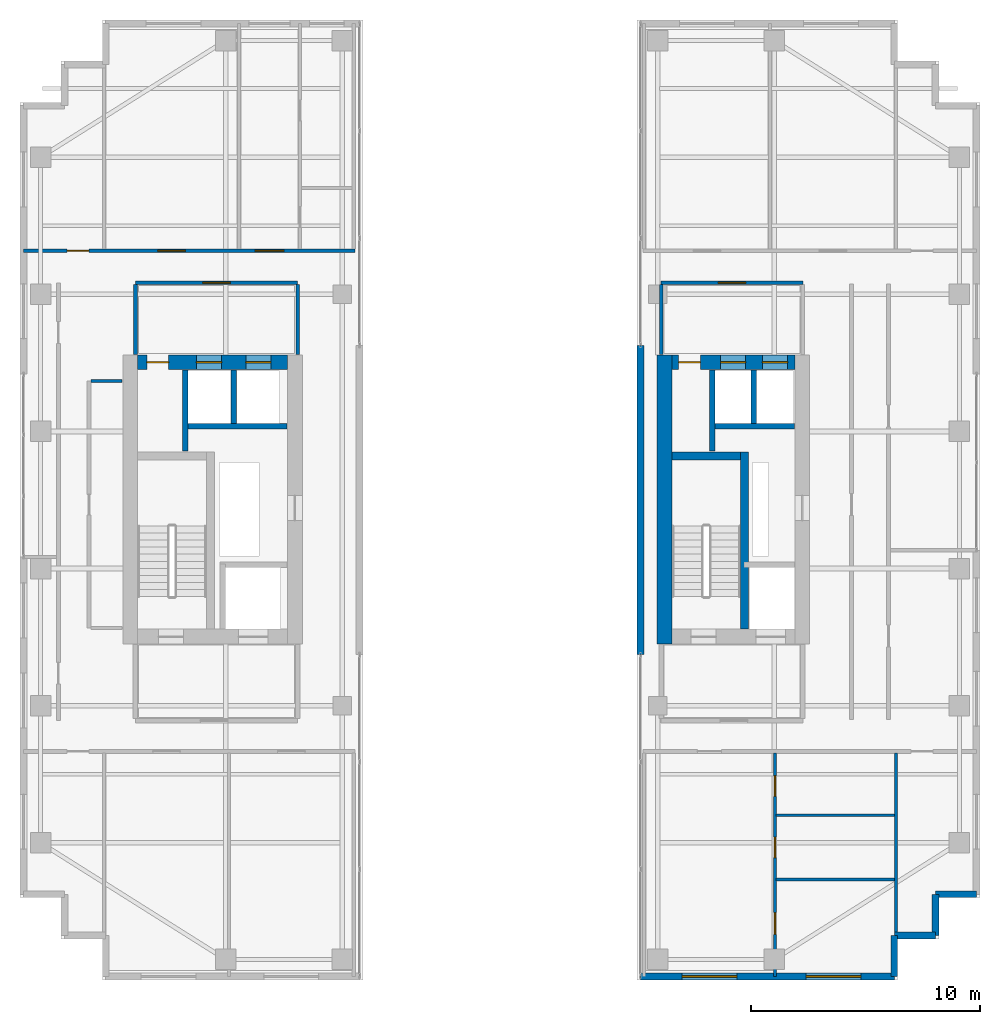
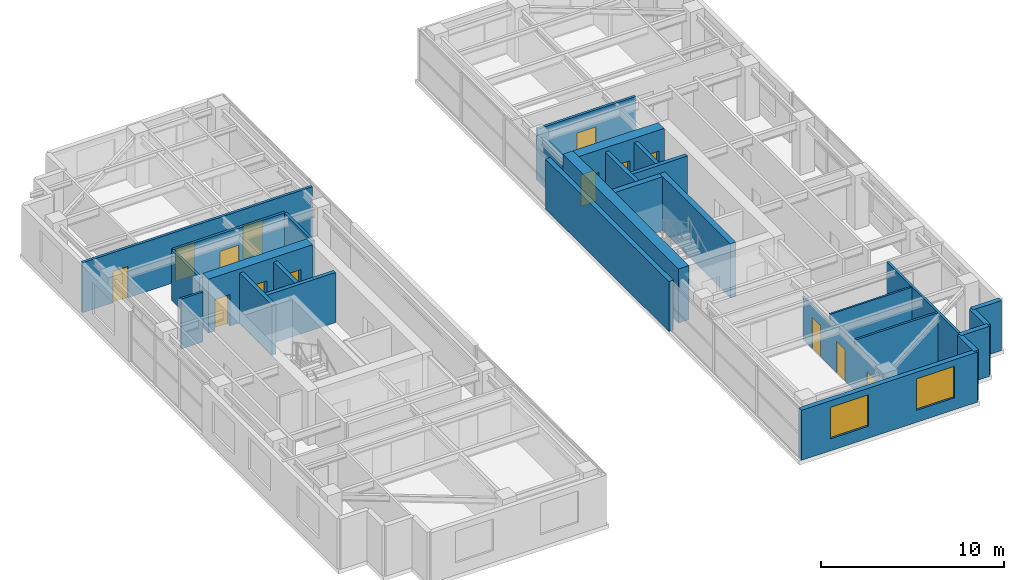
# One storey, part 18 of 22: 28 walls, 14 doors, 2 windows, 16 openings.
"""IFC4 building model written with IfcOpenShell, lengths in metres."""

import ifcopenshell
import ifcopenshell.guid

model = None  # the IFC model being written
_history = None  # IfcOwnerHistory: only IFC2X3 demands one
_inside = {}  # id of a spatial element -> (the spatial element, [elements in it])
_under = {}  # id of a project, library or spatial element -> (it, [spatial elements below it])
_declared = {}  # id of a project -> (the project, [libraries it declares])
_typed = {}  # id of a type object -> (the type object, [elements of that type])
_made_of = {}  # id of a material, layer set ... -> (it, [elements and type objects made of it])


def new_model(schema):
    """Start an empty IFC model of exactly this schema.

    Asked for "IFC4X3", IfcOpenShell would pick the latest addendum, in which some entities
    have other attributes; the version numbers below select the first issue.
    IFC2X3 requires an IfcOwnerHistory on every rooted entity: one is made here for all.
    """
    global model, _history
    if schema == "IFC4X3":
        model = ifcopenshell.file(schema_version=(4, 3, 0, 0))
    else:
        model = ifcopenshell.file(schema=schema)
    _inside.clear()
    _under.clear()
    _declared.clear()
    _typed.clear()
    _made_of.clear()
    _history = None
    if model.schema == "IFC2X3":
        org = make("IfcOrganization", Name="unknown")
        user = make(
            "IfcPersonAndOrganization",
            ThePerson=make("IfcPerson", FamilyName="unknown"),
            TheOrganization=org,
        )
        app = make(
            "IfcApplication",
            ApplicationDeveloper=org,
            Version="unknown",
            ApplicationFullName="unknown",
            ApplicationIdentifier="unknown",
        )
        _history = make(
            "IfcOwnerHistory",
            OwningUser=user,
            OwningApplication=app,
            ChangeAction="ADDED",
            CreationDate=0,
        )
    return model


def make(cls, **values):
    """One entity of the class cls with the attributes given. An attribute that is None is left unset."""
    return model.create_entity(
        cls, **{name: value for name, value in values.items() if value is not None}
    )


def rooted(cls, **values):
    """An entity with a GlobalId (a new one), such as an element, a storey or a relation."""
    return make(cls, GlobalId=ifcopenshell.guid.new(), OwnerHistory=_history, **values)


def si_unit(unit_type, name, prefix=None):
    """IfcSIUnit, for example si_unit("LENGTHUNIT", "METRE", prefix="MILLI")."""
    return make("IfcSIUnit", UnitType=unit_type, Prefix=prefix, Name=name)


def assignment(units):
    """IfcUnitAssignment: the units of a project."""
    return None if units is None else make("IfcUnitAssignment", Units=units)


def point(xyz):
    """IfcCartesianPoint."""
    return None if xyz is None else make("IfcCartesianPoint", Coordinates=xyz)


def direction(xyz):
    """IfcDirection."""
    return None if xyz is None else make("IfcDirection", DirectionRatios=xyz)


def frame(location, z_axis=None, x_axis=None):
    """IfcAxis2Placement3D, a coordinate frame: its origin and axes. An axis left out is left unset."""
    return make(
        "IfcAxis2Placement3D",
        Location=point(location),
        Axis=direction(z_axis),
        RefDirection=direction(x_axis),
    )


def frame_2d(location, x_axis=None):
    """IfcAxis2Placement2D, a coordinate frame in the plane: its origin and x axis."""
    return make(
        "IfcAxis2Placement2D", Location=point(location), RefDirection=direction(x_axis)
    )


def origin():
    """The frame at (0, 0, 0) with its axes left unset."""
    return frame((0.0, 0.0, 0.0))


def place(relative_to, where):
    """IfcLocalPlacement: puts the frame where relative to a parent placement (None: the world)."""
    return make(
        "IfcLocalPlacement", PlacementRelTo=relative_to, RelativePlacement=where
    )


def context(
    kind, dimensions, precision=None, world=None, true_north=None, identifier=None
):
    """IfcGeometricRepresentationContext, for example the 3D "Model" context."""
    return make(
        "IfcGeometricRepresentationContext",
        ContextIdentifier=identifier,
        ContextType=kind,
        CoordinateSpaceDimension=dimensions,
        Precision=precision,
        WorldCoordinateSystem=world,
        TrueNorth=true_north,
    )


def subcontext(parent, identifier, kind, view, scale=None):
    """IfcGeometricRepresentationSubContext, for example "Body" below "Model"."""
    return make(
        "IfcGeometricRepresentationSubContext",
        ContextIdentifier=identifier,
        ContextType=kind,
        ParentContext=parent,
        TargetScale=scale,
        TargetView=view,
    )


def project(units=None, contexts=None):
    """IfcProject with its units and contexts."""
    return rooted(
        "IfcProject",
        Name="project",
        RepresentationContexts=contexts,
        UnitsInContext=assignment(units),
    )


def spatial(cls, under=None, at=None, **own):
    """A site, building, storey or space (cls), placed at a placement, below another one or the project."""
    s = rooted(cls, ObjectPlacement=at, **own)
    if under is not None:
        _under.setdefault(under.id(), (under, []))[1].append(s)
    return s


def profile(cls, at=None, kind="AREA", **sizes):
    """A parametric profile (cls). Its sizes go by their IFC names, for example OverallWidth=200.0."""
    return make(cls, ProfileType=kind, Position=at, **sizes)


def rectangle(**sizes):
    """IfcRectangleProfileDef."""
    return profile("IfcRectangleProfileDef", **sizes)


def extrude(swept, where, along, depth):
    """IfcExtrudedAreaSolid: the profile swept, set in the frame where, extruded along a direction by depth."""
    return make(
        "IfcExtrudedAreaSolid",
        SweptArea=swept,
        Position=where,
        ExtrudedDirection=direction(along),
        Depth=depth,
    )


def shape(context_of_items, identifier, shape_type, items):
    """IfcShapeRepresentation: the items that make up one representation, for example the "Body"."""
    return make(
        "IfcShapeRepresentation",
        ContextOfItems=context_of_items,
        RepresentationIdentifier=identifier,
        RepresentationType=shape_type,
        Items=items,
    )


def source(mapping_origin, context_of_items, identifier, shape_type, items):
    """IfcRepresentationMap: a shape defined once, which mapped items show again and again."""
    return make(
        "IfcRepresentationMap",
        MappingOrigin=mapping_origin,
        MappedRepresentation=shape(context_of_items, identifier, shape_type, items),
    )


def transform(
    local_origin,
    x_axis=None,
    y_axis=None,
    z_axis=None,
    scale=None,
    scale2=None,
    scale3=None,
    uniform=True,
):
    """IfcCartesianTransformationOperator3D, or its non-uniform kind. x_axis, y_axis, z_axis: its Axis1, 2, 3."""
    if uniform:
        return make(
            "IfcCartesianTransformationOperator3D",
            Axis1=direction(x_axis),
            Axis2=direction(y_axis),
            LocalOrigin=point(local_origin),
            Scale=scale,
            Axis3=direction(z_axis),
        )
    return make(
        "IfcCartesianTransformationOperator3DnonUniform",
        Axis1=direction(x_axis),
        Axis2=direction(y_axis),
        LocalOrigin=point(local_origin),
        Scale=scale,
        Axis3=direction(z_axis),
        Scale2=scale2,
        Scale3=scale3,
    )


def mapped(mapping_source, mapping_target):
    """IfcMappedItem: shows the shape of a source again, moved by a transform."""
    return make(
        "IfcMappedItem", MappingSource=mapping_source, MappingTarget=mapping_target
    )


def material(Name=None, Category=None):
    """IfcMaterial."""
    return make("IfcMaterial", Name=Name, Category=Category)


def layer(
    of_material, thickness, ventilated=None, Name=None, Category=None, Priority=None
):
    """IfcMaterialLayer: one layer of a wall or slab, of a material (None: an air gap)."""
    return make(
        "IfcMaterialLayer",
        Material=of_material,
        LayerThickness=thickness,
        IsVentilated=ventilated,
        Name=Name,
        Category=Category,
        Priority=Priority,
    )


def layer_set(layers, Name=None):
    """IfcMaterialLayerSet."""
    return make("IfcMaterialLayerSet", MaterialLayers=layers, LayerSetName=Name)


def made_of(thing, what):
    """Note that an element or type object is made of a material, layer set ...; save() writes the relation."""
    if what is not None:
        _made_of.setdefault(what.id(), (what, []))[1].append(thing)
    return thing


def type_object(cls, material=None, **own):
    """A type object (cls), such as IfcWallType, which elements share."""
    return made_of(rooted(cls, **own), material)


def element(
    cls,
    number,
    at=None,
    inside=None,
    cuts=None,
    type_object=None,
    material=None,
    context=None,
    identifier="Body",
    shape_type=None,
    held_by="IfcProductDefinitionShape",
    body=None,
    shapes=None,
    **own,
):
    """One element of the class cls, such as IfcWall. Its Tag is "e" and its number.

    at: its placement. inside: the storey or other place that contains it. cuts: it is an
    opening in that element (IfcRelVoidsElement). A single representation is given by context,
    identifier, shape_type and body (its items); several are given by shapes. held_by: the class
    of the entity that holds the representations. save() writes the other relations.
    """
    e = rooted(cls, Tag="e%d" % number, ObjectPlacement=at, **own)
    if body is not None:
        shapes = [shape(context, identifier, shape_type, body)]
    if shapes is not None:
        e.Representation = make(held_by, Representations=shapes)
    if inside is not None:
        _inside.setdefault(inside.id(), (inside, []))[1].append(e)
    if cuts is not None:
        rooted(
            "IfcRelVoidsElement", RelatingBuildingElement=cuts, RelatedOpeningElement=e
        )
    if type_object is not None:
        _typed.setdefault(type_object.id(), (type_object, []))[1].append(e)
    return made_of(e, material)


def fill(opening, filler):
    """IfcRelFillsElement: the door or window that sits in an opening."""
    return rooted(
        "IfcRelFillsElement",
        RelatingOpeningElement=opening,
        RelatedBuildingElement=filler,
    )


def aggregate(whole, parts):
    """IfcRelAggregates: a whole, such as a stair, and the parts it consists of."""
    return rooted("IfcRelAggregates", RelatingObject=whole, RelatedObjects=parts)


def save(model, path):
    """Write the relations noted so far, then the file.

    IfcRelAggregates (storeys below a building ...), IfcRelContainedInSpatialStructure (elements
    in a storey), IfcRelDefinesByType, IfcRelAssociatesMaterial and IfcRelDeclares: one each for
    every whole, place, type object, material and project.
    """
    for whole, parts in _under.values():
        aggregate(whole, parts)
    for where, things in _inside.values():
        rooted(
            "IfcRelContainedInSpatialStructure",
            RelatedElements=things,
            RelatingStructure=where,
        )
    for kind, things in _typed.values():
        rooted("IfcRelDefinesByType", RelatedObjects=things, RelatingType=kind)
    for what, things in _made_of.values():
        rooted("IfcRelAssociatesMaterial", RelatedObjects=things, RelatingMaterial=what)
    for by, libraries in _declared.values():
        rooted("IfcRelDeclares", RelatingContext=by, RelatedDefinitions=libraries)
    model.write(path)


model = new_model("IFC4")

# Units and contexts
model_context = context("Model", 3, precision=1e-05, world=origin(), true_north=direction((0.0, 1.0)))
body_context = subcontext(model_context, "Body", "Model", "MODEL_VIEW")
ifc_project = project(units=[si_unit("LENGTHUNIT", "METRE"), si_unit("AREAUNIT", "SQUARE_METRE"), si_unit("VOLUMEUNIT", "CUBIC_METRE"), si_unit("PLANEANGLEUNIT", "RADIAN"), si_unit("MASSUNIT", "GRAM", prefix="KILO")], contexts=[model_context])

# Site, building, storey
site_placement = place(None, origin())
site = spatial("IfcSite", under=ifc_project, at=site_placement, CompositionType="ELEMENT")
building_placement = place(site_placement, origin())
building = spatial("IfcBuilding", under=site, at=building_placement, Name="Khoralis Quay Care Tower", CompositionType="ELEMENT")
storey_placement = place(building_placement, frame((0.0, 0.0, 184.5)))
storey = spatial("IfcBuildingStorey", under=building, at=storey_placement, Name="L48", CompositionType="ELEMENT", Elevation=184.5)

# Wall, openings, doors
ifc_material_1 = material(Name="Concrete C65/80", Category="concrete")
ifc_layer_1 = layer(ifc_material_1, 0.64990234375)
ifc_layer_set_1 = layer_set([ifc_layer_1], Name="Concrete C65/80")
wall_type_1 = type_object("IfcWallType", Name="WL-CORE-650", PredefinedType="SHEAR", material=ifc_layer_set_1)
wall_1_placement = place(storey_placement, frame((8.14990234375, 27.02490234375, 0.0), z_axis=(0.0, 0.0, 1.0), x_axis=(1.0, 0.0, 0.0)))
wall_1 = element("IfcWall", 1, at=wall_1_placement, inside=storey, type_object=wall_type_1, Name="L48 WCORE North Shear Wall", PredefinedType="SHEAR", context=body_context, shape_type="SweptSolid", body=[
    extrude(rectangle(XDim=6.550048828125, YDim=0.64990234375, at=frame_2d((3.27490234375, 0.0))), origin(), (0.0, 0.0, 1.0), 3.60009765625),
])
opening_1_placement = place(wall_1_placement, frame((0.39990234375, 0.0, 0.0)))
opening_1 = element("IfcOpeningElement", 2, at=opening_1_placement, cuts=wall_1, Name="Opening ID1", PredefinedType="OPENING", context=body_context, shape_type="SweptSolid", body=[
    extrude(rectangle(XDim=0.949951171875, YDim=2.10009765625, at=frame_2d((0.47509765625, 1.050048828125))), frame((0.0, 0.3349609375, 0.0), z_axis=(0.0, -1.0, 0.0), x_axis=(1.0, 0.0, 0.0)), (0.0, 0.0, 1.0), 0.669921875),
])
opening_2_placement = place(wall_1_placement, frame((2.570068359375, 0.0, 0.0)))
opening_2 = element("IfcOpeningElement", 3, at=opening_2_placement, cuts=wall_1, Name="Opening LD1", PredefinedType="OPENING", context=body_context, shape_type="SweptSolid", body=[
    extrude(rectangle(XDim=1.10009765625, YDim=2.199951171875, at=frame_2d((0.550048828125, 1.10009765625))), frame((0.0, 0.3349609375, 0.0), z_axis=(0.0, -1.0, 0.0), x_axis=(1.0, 0.0, 0.0)), (0.0, 0.0, 1.0), 0.669921875),
])
opening_3_placement = place(wall_1_placement, frame((4.72998046875, 0.0, 0.0)))
opening_3 = element("IfcOpeningElement", 4, at=opening_3_placement, cuts=wall_1, Name="Opening LD1", PredefinedType="OPENING", context=body_context, shape_type="SweptSolid", body=[
    extrude(rectangle(XDim=1.10009765625, YDim=2.199951171875, at=frame_2d((0.550048828125, 1.10009765625))), frame((0.0, 0.3349609375, 0.0), z_axis=(0.0, -1.0, 0.0), x_axis=(1.0, 0.0, 0.0)), (0.0, 0.0, 1.0), 0.669921875),
])
ifc_material_2 = material(Name="Brushed stainless steel", Category="steel")
door_type_1 = type_object("IfcDoorType", Name="DR-LIFT-1100X2200", OperationType="SLIDING_TO_LEFT", PredefinedType="DOOR", material=ifc_material_2)
shared_shape_1 = source(origin(), body_context, "Body", "SweptSolid", [
    extrude(rectangle(XDim=1.10009765625, YDim=2.199951171875, at=frame_2d((0.550048828125, 1.10009765625))), frame((0.0, 0.02490234375, 0.0), z_axis=(0.0, -1.0, 0.0), x_axis=(1.0, 0.0, 0.0)), (0.0, 0.0, 1.0), 0.050048828125),
])
door_1_placement = place(opening_2_placement, origin())
door_1 = element("IfcDoor", 5, at=door_1_placement, inside=storey, type_object=door_type_1, Name="L48 Lift PLM1 Landing Door", OperationType="SLIDING_TO_LEFT", OverallHeight=2.199951171875, OverallWidth=1.10009765625, PredefinedType="DOOR", context=body_context, shape_type="MappedRepresentation", body=[
    mapped(shared_shape_1, transform((0.0, 0.0, 0.0), scale=1.0)),
])
fill(opening_2, door_1)
door_2_placement = place(opening_3_placement, origin())
door_2 = element("IfcDoor", 6, at=door_2_placement, inside=storey, type_object=door_type_1, Name="L48 Lift PLH1 Landing Door", OperationType="SLIDING_TO_LEFT", OverallHeight=2.199951171875, OverallWidth=1.10009765625, PredefinedType="DOOR", context=body_context, shape_type="MappedRepresentation", body=[
    mapped(shared_shape_1, transform((0.0, 0.0, 0.0), scale=1.0)),
])
fill(opening_3, door_2)
ifc_material_3 = material(Name="Acoustic hardwood timber", Category="wood")
door_type_2 = type_object("IfcDoorType", Name="DR-ROOM-950X2100", OperationType="NOTDEFINED", PredefinedType="DOOR", material=ifc_material_3)
shared_shape_2 = source(origin(), body_context, "Body", "SweptSolid", [
    extrude(rectangle(XDim=0.949951171875, YDim=2.10009765625, at=frame_2d((0.47509765625, 1.050048828125))), frame((0.0, 0.02490234375, 0.0), z_axis=(0.0, -1.0, 0.0), x_axis=(1.0, 0.0, 0.0)), (0.0, 0.0, 1.0), 0.050048828125),
])
door_3_placement = place(opening_1_placement, frame((0.949951171875, 0.0, 0.0), z_axis=(0.0, 0.0, 1.0), x_axis=(-1.0, 0.0, 0.0)))
door_3 = element("IfcDoor", 7, at=door_3_placement, inside=storey, type_object=door_type_2, Name="L48 Medication Room Door", OperationType="SINGLE_SWING_RIGHT", OverallHeight=2.10009765625, OverallWidth=0.949951171875, PredefinedType="DOOR", context=body_context, shape_type="MappedRepresentation", body=[
    mapped(shared_shape_2, transform((0.0, 0.0, 0.0), scale=1.0)),
])
fill(opening_1, door_3)

# Wall
wall_2_placement = place(storey_placement, frame((31.195068359375, 14.699951171875, 0.0), z_axis=(0.0, 0.0, 1.0), x_axis=(0.0, 1.0, 0.0)))
element("IfcWall", 8, at=wall_2_placement, inside=storey, type_object=wall_type_1, Name="L48 ECORE West Shear Wall", PredefinedType="SHEAR", context=body_context, shape_type="SweptSolid", body=[
    extrude(rectangle(XDim=12.650146484375, YDim=0.64990234375, at=frame_2d((6.3251953125, 0.0))), origin(), (0.0, 0.0, 1.0), 3.60009765625),
])

# Wall, openings, doors
wall_3_placement = place(storey_placement, frame((31.52001953125, 27.02490234375, 0.0), z_axis=(0.0, 0.0, 1.0), x_axis=(1.0, 0.0, 0.0)))
wall_3 = element("IfcWall", 9, at=wall_3_placement, inside=storey, type_object=wall_type_1, Name="L48 ECORE North Shear Wall", PredefinedType="SHEAR", context=body_context, shape_type="SweptSolid", body=[
    extrude(rectangle(XDim=5.3798828125, YDim=0.64990234375, at=frame_2d((2.68994140625, 0.0))), origin(), (0.0, 0.0, 1.0), 3.60009765625),
])
opening_4_placement = place(wall_3_placement, frame((0.300048828125, 0.0, 0.0)))
opening_4 = element("IfcOpeningElement", 10, at=opening_4_placement, cuts=wall_3, Name="Opening ID1", PredefinedType="OPENING", context=body_context, shape_type="SweptSolid", body=[
    extrude(rectangle(XDim=0.949951171875, YDim=2.10009765625, at=frame_2d((0.47509765625, 1.050048828125))), frame((0.0, 0.3349609375, 0.0), z_axis=(0.0, -1.0, 0.0), x_axis=(1.0, 0.0, 0.0)), (0.0, 0.0, 1.0), 0.669921875),
])
opening_5_placement = place(wall_3_placement, frame((2.1298828125, 0.0, 0.0)))
opening_5 = element("IfcOpeningElement", 11, at=opening_5_placement, cuts=wall_3, Name="Opening LD1", PredefinedType="OPENING", context=body_context, shape_type="SweptSolid", body=[
    extrude(rectangle(XDim=1.10009765625, YDim=2.199951171875, at=frame_2d((0.550048828125, 1.10009765625))), frame((0.0, 0.3349609375, 0.0), z_axis=(0.0, -1.0, 0.0), x_axis=(1.0, 0.0, 0.0)), (0.0, 0.0, 1.0), 0.669921875),
])
opening_6_placement = place(wall_3_placement, frame((3.9599609375, 0.0, 0.0)))
opening_6 = element("IfcOpeningElement", 12, at=opening_6_placement, cuts=wall_3, Name="Opening LD1", PredefinedType="OPENING", context=body_context, shape_type="SweptSolid", body=[
    extrude(rectangle(XDim=1.10009765625, YDim=2.199951171875, at=frame_2d((0.550048828125, 1.10009765625))), frame((0.0, 0.3349609375, 0.0), z_axis=(0.0, -1.0, 0.0), x_axis=(1.0, 0.0, 0.0)), (0.0, 0.0, 1.0), 0.669921875),
])
door_4_placement = place(opening_5_placement, origin())
door_4 = element("IfcDoor", 13, at=door_4_placement, inside=storey, type_object=door_type_1, Name="L48 Lift PLM2 Landing Door", OperationType="SLIDING_TO_LEFT", OverallHeight=2.199951171875, OverallWidth=1.10009765625, PredefinedType="DOOR", context=body_context, shape_type="MappedRepresentation", body=[
    mapped(shared_shape_1, transform((0.0, 0.0, 0.0), scale=1.0)),
])
fill(opening_5, door_4)
door_5_placement = place(opening_6_placement, origin())
door_5 = element("IfcDoor", 14, at=door_5_placement, inside=storey, type_object=door_type_1, Name="L48 Lift PLH2 Landing Door", OperationType="SLIDING_TO_LEFT", OverallHeight=2.199951171875, OverallWidth=1.10009765625, PredefinedType="DOOR", context=body_context, shape_type="MappedRepresentation", body=[
    mapped(shared_shape_1, transform((0.0, 0.0, 0.0), scale=1.0)),
])
fill(opening_6, door_5)
door_6_placement = place(opening_4_placement, frame((0.949951171875, 0.0, 0.0), z_axis=(0.0, 0.0, 1.0), x_axis=(-1.0, 0.0, 0.0)))
door_6 = element("IfcDoor", 15, at=door_6_placement, inside=storey, type_object=door_type_2, Name="L48 Nutrition Pantry Door", OperationType="SINGLE_SWING_LEFT", OverallHeight=2.10009765625, OverallWidth=0.949951171875, PredefinedType="DOOR", context=body_context, shape_type="MappedRepresentation", body=[
    mapped(shared_shape_2, transform((0.0, 0.0, 0.0), scale=1.0)),
])
fill(opening_4, door_6)

# Wall, opening, door
ifc_material_4 = material(Name="Gypsum plasterboard on acoustic metal stud")
ifc_layer_2 = layer(ifc_material_4, 0.1650390625)
ifc_layer_set_2 = layer_set([ifc_layer_2], Name="Gypsum plasterboard on acoustic metal stud")
wall_type_2 = type_object("IfcWallType", Name="WL-CORR-165", PredefinedType="PARTITIONING", material=ifc_layer_set_2)
wall_4_placement = place(storey_placement, frame((8.050048828125, 30.5, 0.0), z_axis=(0.0, 0.0, 1.0), x_axis=(1.0, 0.0, 0.0)))
wall_4 = element("IfcWall", 16, at=wall_4_placement, inside=storey, type_object=wall_type_2, Name="L48 West Lift Lobby North Wall", PredefinedType="PARTITIONING", context=body_context, shape_type="SweptSolid", body=[
    extrude(rectangle(XDim=7.099853515625, YDim=0.1650390625, at=frame_2d((3.5498046875, 0.0))), origin(), (0.0, 0.0, 1.0), 3.340087890625),
])
opening_7_placement = place(wall_4_placement, frame((2.949951171875, 0.0, 0.0)))
opening_7 = element("IfcOpeningElement", 17, at=opening_7_placement, cuts=wall_4, Name="Opening FD1", PredefinedType="OPENING", context=body_context, shape_type="SweptSolid", body=[
    extrude(rectangle(XDim=1.199951171875, YDim=2.199951171875, at=frame_2d((0.60009765625, 1.10009765625))), frame((0.0, 0.092529296875, 0.0), z_axis=(0.0, -1.0, 0.0), x_axis=(1.0, 0.0, 0.0)), (0.0, 0.0, 1.0), 0.18505859375),
])
ifc_material_5 = material(Name="Fire-rated painted steel", Category="steel")
door_type_3 = type_object("IfcDoorType", Name="DR-FFL-1200X2200", OperationType="NOTDEFINED", PredefinedType="DOOR", material=ifc_material_5)
shared_shape_3 = source(origin(), body_context, "Body", "SweptSolid", [
    extrude(rectangle(XDim=1.199951171875, YDim=2.199951171875, at=frame_2d((0.60009765625, 1.10009765625))), frame((0.0, 0.02490234375, 0.0), z_axis=(0.0, -1.0, 0.0), x_axis=(1.0, 0.0, 0.0)), (0.0, 0.0, 1.0), 0.050048828125),
])
door_7_placement = place(opening_7_placement, origin())
door_7 = element("IfcDoor", 18, at=door_7_placement, inside=storey, type_object=door_type_3, Name="L48 West Lift Lobby Double Door", OperationType="DOUBLE_DOOR_SINGLE_SWING", OverallHeight=2.199951171875, OverallWidth=1.199951171875, PredefinedType="DOOR", context=body_context, shape_type="MappedRepresentation", body=[
    mapped(shared_shape_3, transform((0.0, 0.0, 0.0), scale=1.0)),
])
fill(opening_7, door_7)

# Walls
for number, where, z_axis, x_axis, name in (
    (19, (8.050048828125, 27.3701171875, 0.0), (0.0, 0.0, 1.0), (0.0, 1.0, 0.0), "L48 West Lift Lobby West Wall"),
    (20, (15.14990234375, 27.3701171875, 0.0), (0.0, 0.0, 1.0), (0.0, 1.0, 0.0), "L48 West Lift Lobby East Wall"),
):
    element("IfcWall", number, at=place(storey_placement, frame(where, z_axis=z_axis, x_axis=x_axis)), inside=storey, type_object=wall_type_2, Name=name, PredefinedType="PARTITIONING", context=body_context, shape_type="SweptSolid", body=[
        extrude(rectangle(XDim=3.052490234375, YDim=0.1650390625, at=frame_2d((1.5263671875, 0.0))), origin(), (0.0, 0.0, 1.0), 3.340087890625),
    ])

# Wall, opening, door
wall_5_placement = place(storey_placement, frame((31.050048828125, 30.5, 0.0), z_axis=(0.0, 0.0, 1.0), x_axis=(1.0, 0.0, 0.0)))
wall_5 = element("IfcWall", 21, at=wall_5_placement, inside=storey, type_object=wall_type_2, Name="L48 East Lift Lobby North Wall", PredefinedType="PARTITIONING", context=body_context, shape_type="SweptSolid", body=[
    extrude(rectangle(XDim=6.199951171875, YDim=0.1650390625, at=frame_2d((3.10009765625, 0.0))), origin(), (0.0, 0.0, 1.0), 3.340087890625),
])
opening_8_placement = place(wall_5_placement, frame((2.5, 0.0, 0.0)))
opening_8 = element("IfcOpeningElement", 22, at=opening_8_placement, cuts=wall_5, Name="Opening FD1", PredefinedType="OPENING", context=body_context, shape_type="SweptSolid", body=[
    extrude(rectangle(XDim=1.199951171875, YDim=2.199951171875, at=frame_2d((0.60009765625, 1.10009765625))), frame((0.0, 0.092529296875, 0.0), z_axis=(0.0, -1.0, 0.0), x_axis=(1.0, 0.0, 0.0)), (0.0, 0.0, 1.0), 0.18505859375),
])
door_8_placement = place(opening_8_placement, origin())
door_8 = element("IfcDoor", 23, at=door_8_placement, inside=storey, type_object=door_type_3, Name="L48 East Lift Lobby Double Door", OperationType="DOUBLE_DOOR_SINGLE_SWING", OverallHeight=2.199951171875, OverallWidth=1.199951171875, PredefinedType="DOOR", context=body_context, shape_type="MappedRepresentation", body=[
    mapped(shared_shape_3, transform((0.0, 0.0, 0.0), scale=1.0)),
])
fill(opening_8, door_8)

# Wall
wall_6_placement = place(storey_placement, frame((31.050048828125, 27.3701171875, 0.0), z_axis=(0.0, 0.0, 1.0), x_axis=(0.0, 1.0, 0.0)))
element("IfcWall", 24, at=wall_6_placement, inside=storey, type_object=wall_type_2, Name="L48 East Lift Lobby West Wall", PredefinedType="PARTITIONING", context=body_context, shape_type="SweptSolid", body=[
    extrude(rectangle(XDim=3.052490234375, YDim=0.1650390625, at=frame_2d((1.5263671875, 0.0))), origin(), (0.0, 0.0, 1.0), 2.876953125),
])

# Wall, openings, doors
wall_7_placement = place(storey_placement, frame((3.14501953125, 31.89990234375, 0.0), z_axis=(0.0, 0.0, 1.0), x_axis=(1.0, 0.0, 0.0)))
wall_7 = element("IfcWall", 25, at=wall_7_placement, inside=storey, type_object=wall_type_2, Name="L48 West Wing North Corridor Wall", PredefinedType="PARTITIONING", context=body_context, shape_type="SweptSolid", body=[
    extrude(rectangle(XDim=14.5048828125, YDim=0.1650390625, at=frame_2d((7.25244140625, 0.0))), origin(), (0.0, 0.0, 1.0), 3.340087890625),
])
opening_9_placement = place(wall_7_placement, frame((5.885009765625, 0.0, 0.0)))
opening_9 = element("IfcOpeningElement", 26, at=opening_9_placement, cuts=wall_7, Name="Opening FD1", PredefinedType="OPENING", context=body_context, shape_type="SweptSolid", body=[
    extrude(rectangle(XDim=1.199951171875, YDim=2.199951171875, at=frame_2d((0.60009765625, 1.10009765625))), frame((0.0, 0.092529296875, 0.0), z_axis=(0.0, -1.0, 0.0), x_axis=(1.0, 0.0, 0.0)), (0.0, 0.0, 1.0), 0.18505859375),
])
opening_10_placement = place(wall_7_placement, frame((10.14501953125, 0.0, 0.0)))
opening_10 = element("IfcOpeningElement", 27, at=opening_10_placement, cuts=wall_7, Name="Opening CD1", PredefinedType="OPENING", context=body_context, shape_type="SweptSolid", body=[
    extrude(rectangle(XDim=1.25, YDim=2.199951171875, at=frame_2d((0.625, 1.10009765625))), frame((0.0, 0.092529296875, 0.0), z_axis=(0.0, -1.0, 0.0), x_axis=(1.0, 0.0, 0.0)), (0.0, 0.0, 1.0), 0.18505859375),
])
opening_11_placement = place(wall_7_placement, frame((1.919921875, 0.0, 0.0)))
opening_11 = element("IfcOpeningElement", 28, at=opening_11_placement, cuts=wall_7, Name="Opening ID1", PredefinedType="OPENING", context=body_context, shape_type="SweptSolid", body=[
    extrude(rectangle(XDim=0.949951171875, YDim=2.10009765625, at=frame_2d((0.47509765625, 1.050048828125))), frame((0.0, 0.092529296875, 0.0), z_axis=(0.0, -1.0, 0.0), x_axis=(1.0, 0.0, 0.0)), (0.0, 0.0, 1.0), 0.18505859375),
])
door_9_placement = place(opening_9_placement, origin())
door_9 = element("IfcDoor", 29, at=door_9_placement, inside=storey, type_object=door_type_3, Name="L48 Resident Communal Day Lounge Door", OperationType="DOUBLE_DOOR_SINGLE_SWING", OverallHeight=2.199951171875, OverallWidth=1.199951171875, PredefinedType="DOOR", context=body_context, shape_type="MappedRepresentation", body=[
    mapped(shared_shape_3, transform((0.0, 0.0, 0.0), scale=1.0)),
])
fill(opening_9, door_9)
door_type_4 = type_object("IfcDoorType", Name="DR-CARE-1250X2200", OperationType="NOTDEFINED", PredefinedType="DOOR", material=ifc_material_3)
shared_shape_4 = source(origin(), body_context, "Body", "SweptSolid", [
    extrude(rectangle(XDim=1.25, YDim=2.199951171875, at=frame_2d((0.625, 1.10009765625))), frame((0.0, 0.02490234375, 0.0), z_axis=(0.0, -1.0, 0.0), x_axis=(1.0, 0.0, 0.0)), (0.0, 0.0, 1.0), 0.050048828125),
])
door_10_placement = place(opening_10_placement, origin())
door_10 = element("IfcDoor", 30, at=door_10_placement, inside=storey, type_object=door_type_4, Name="L48 Care Suite WN1 Clinical Door", OperationType="SINGLE_SWING_RIGHT", OverallHeight=2.199951171875, OverallWidth=1.25, PredefinedType="DOOR", context=body_context, shape_type="MappedRepresentation", body=[
    mapped(shared_shape_4, transform((0.0, 0.0, 0.0), scale=1.0)),
])
fill(opening_10, door_10)
door_11_placement = place(opening_11_placement, origin())
door_11 = element("IfcDoor", 31, at=door_11_placement, inside=storey, type_object=door_type_2, Name="L48 NW Corner Door", OperationType="SINGLE_SWING_RIGHT", OverallHeight=2.10009765625, OverallWidth=0.949951171875, PredefinedType="DOOR", context=body_context, shape_type="MappedRepresentation", body=[
    mapped(shared_shape_2, transform((0.0, 0.0, 0.0), scale=1.0)),
])
fill(opening_11, door_11)

# Wall, openings, windows
ifc_material_6 = material(Name="Precast concrete C45/55", Category="concrete")
ifc_layer_3 = layer(ifc_material_6, 0.300048828125)
ifc_layer_set_3 = layer_set([ifc_layer_3], Name="Precast concrete C45/55")
wall_type_3 = type_object("IfcWallType", Name="WL-EXT-REF-300", PredefinedType="SOLIDWALL", material=ifc_layer_set_3)
wall_8_placement = place(storey_placement, frame((30.14990234375, 0.14990234375, 0.0), z_axis=(0.0, 0.0, 1.0), x_axis=(1.0, 0.0, 0.0)))
wall_8 = element("IfcWall", 32, at=wall_8_placement, inside=storey, type_object=wall_type_3, Name="L48 External Facade Wall WL-EXT-L48-P2-E0", PredefinedType="SOLIDWALL", context=body_context, shape_type="SweptSolid", body=[
    extrude(rectangle(XDim=11.10009765625, YDim=0.300048828125, at=frame_2d((5.550048828125, 0.0))), origin(), (0.0, 0.0, 1.0), 3.340087890625),
])
opening_12_placement = place(wall_8_placement, frame((1.81494140625, 0.0, 0.800048828125)))
opening_12 = element("IfcOpeningElement", 33, at=opening_12_placement, cuts=wall_8, Name="Opening W1", PredefinedType="OPENING", context=body_context, shape_type="SweptSolid", body=[
    extrude(rectangle(XDim=2.39990234375, YDim=2.10009765625, at=frame_2d((1.199951171875, 1.050048828125))), frame((0.0, 0.16015625, 0.0), z_axis=(0.0, -1.0, 0.0), x_axis=(1.0, 0.0, 0.0)), (0.0, 0.0, 1.0), 0.320068359375),
])
opening_13_placement = place(wall_8_placement, frame((7.239990234375, 0.0, 0.800048828125)))
opening_13 = element("IfcOpeningElement", 34, at=opening_13_placement, cuts=wall_8, Name="Opening W1", PredefinedType="OPENING", context=body_context, shape_type="SweptSolid", body=[
    extrude(rectangle(XDim=2.39990234375, YDim=2.10009765625, at=frame_2d((1.199951171875, 1.050048828125))), frame((0.0, 0.16015625, 0.0), z_axis=(0.0, -1.0, 0.0), x_axis=(1.0, 0.0, 0.0)), (0.0, 0.0, 1.0), 0.320068359375),
])
ifc_material_7 = material(Name="Low-E solar-control double glazing", Category="glass")
window_type = type_object("IfcWindowType", Name="WN-POD-2400X2100", PartitioningType="SINGLE_PANEL", PredefinedType="WINDOW", material=ifc_material_7)
shared_shape_5 = source(origin(), body_context, "Body", "SweptSolid", [
    extrude(rectangle(XDim=2.39990234375, YDim=2.10009765625, at=frame_2d((1.199951171875, 1.050048828125))), frame((0.0, 0.030029296875, 0.0), z_axis=(0.0, -1.0, 0.0), x_axis=(1.0, 0.0, 0.0)), (0.0, 0.0, 1.0), 0.06005859375),
])
window_1_placement = place(opening_12_placement, origin())
window_1 = element("IfcWindow", 35, at=window_1_placement, inside=storey, type_object=window_type, Name="WN-L48-P2-E0 Facade Window 01", OverallHeight=2.10009765625, OverallWidth=2.39990234375, PartitioningType="SINGLE_PANEL", PredefinedType="WINDOW", context=body_context, shape_type="MappedRepresentation", body=[
    mapped(shared_shape_5, transform((0.0, 0.0, 0.0), scale=1.0)),
])
fill(opening_12, window_1)
window_2_placement = place(opening_13_placement, origin())
window_2 = element("IfcWindow", 36, at=window_2_placement, inside=storey, type_object=window_type, Name="WN-L48-P2-E0 Facade Window 02", OverallHeight=2.10009765625, OverallWidth=2.39990234375, PartitioningType="SINGLE_PANEL", PredefinedType="WINDOW", context=body_context, shape_type="MappedRepresentation", body=[
    mapped(shared_shape_5, transform((0.0, 0.0, 0.0), scale=1.0)),
])
fill(opening_13, window_2)

# Walls
for number, where, z_axis, x_axis, name in (
    (37, (41.25, 0.14990234375, 0.0), (0.0, 0.0, 1.0), (0.0, 1.0, 0.0), "L48 External Facade Wall WL-EXT-L48-P2-C1"),
    (38, (41.25, 1.949951171875, 0.0), (0.0, 0.0, 1.0), (1.0, 0.0, 0.0), "L48 External Facade Wall WL-EXT-L48-P2-C2"),
    (39, (43.050048828125, 1.949951171875, 0.0), (0.0, 0.0, 1.0), (0.0, 1.0, 0.0), "L48 External Facade Wall WL-EXT-L48-P2-C3"),
    (40, (43.050048828125, 3.75, 0.0), (0.0, 0.0, 1.0), (1.0, 0.0, 0.0), "L48 External Facade Wall WL-EXT-L48-P2-C4"),
):
    element("IfcWall", number, at=place(storey_placement, frame(where, z_axis=z_axis, x_axis=x_axis)), inside=storey, type_object=wall_type_3, Name=name, PredefinedType="SOLIDWALL", context=body_context, shape_type="SweptSolid", body=[
        extrude(rectangle(XDim=1.800048828125, YDim=0.300048828125, at=frame_2d((0.89990234375, 0.0))), origin(), (0.0, 0.0, 1.0), 3.340087890625),
    ])
wall_9_placement = place(storey_placement, frame((30.14990234375, 14.25, 0.0), z_axis=(0.0, 0.0, 1.0), x_axis=(0.0, 1.0, 0.0)))
element("IfcWall", 41, at=wall_9_placement, inside=storey, type_object=wall_type_3, Name="L48 External Facade Wall WL-VP-L48-P2-M", PredefinedType="SOLIDWALL", context=body_context, shape_type="SweptSolid", body=[
    extrude(rectangle(XDim=13.5, YDim=0.300048828125, at=frame_2d((6.75, 0.0))), origin(), (0.0, 0.0, 1.0), 3.340087890625),
])

# Wall, openings, doors
ifc_layer_4 = layer(ifc_material_4, 0.114990234375)
ifc_layer_set_4 = layer_set([ifc_layer_4], Name="Gypsum plasterboard on acoustic metal stud")
wall_type_4 = type_object("IfcWallType", Name="WL-PART-115", PredefinedType="PARTITIONING", material=ifc_layer_set_4)
wall_10_placement = place(storey_placement, frame((36.030029296875, 0.14501953125, 0.0), z_axis=(0.0, 0.0, 1.0), x_axis=(0.0, 1.0, 0.0)))
wall_10 = element("IfcWall", 42, at=wall_10_placement, inside=storey, type_object=wall_type_4, Name="L48 Unit 0 Internal Wall", PredefinedType="PARTITIONING", context=body_context, shape_type="SweptSolid", body=[
    extrude(rectangle(XDim=9.777587890625, YDim=0.114990234375, at=frame_2d((4.888671875, 0.0))), origin(), (0.0, 0.0, 1.0), 2.876953125),
])
opening_14_placement = place(wall_10_placement, frame((1.85498046875, 0.0, 0.0)))
opening_14 = element("IfcOpeningElement", 43, at=opening_14_placement, cuts=wall_10, Name="Opening ID1", PredefinedType="OPENING", context=body_context, shape_type="SweptSolid", body=[
    extrude(rectangle(XDim=0.949951171875, YDim=2.10009765625, at=frame_2d((0.47509765625, 1.050048828125))), frame((0.0, 0.0673828125, 0.0), z_axis=(0.0, -1.0, 0.0), x_axis=(1.0, 0.0, 0.0)), (0.0, 0.0, 1.0), 0.135009765625),
])
opening_15_placement = place(wall_10_placement, frame((5.205078125, 0.0, 0.0)))
opening_15 = element("IfcOpeningElement", 44, at=opening_15_placement, cuts=wall_10, Name="Opening WD1", PredefinedType="OPENING", context=body_context, shape_type="SweptSolid", body=[
    extrude(rectangle(XDim=0.89990234375, YDim=2.10009765625, at=frame_2d((0.449951171875, 1.050048828125))), frame((0.0, 0.0673828125, 0.0), z_axis=(0.0, -1.0, 0.0), x_axis=(1.0, 0.0, 0.0)), (0.0, 0.0, 1.0), 0.135009765625),
])
opening_16_placement = place(wall_10_placement, frame((7.889892578125, 0.0, 0.0)))
opening_16 = element("IfcOpeningElement", 45, at=opening_16_placement, cuts=wall_10, Name="Opening WD1", PredefinedType="OPENING", context=body_context, shape_type="SweptSolid", body=[
    extrude(rectangle(XDim=0.89990234375, YDim=2.10009765625, at=frame_2d((0.449951171875, 1.050048828125))), frame((0.0, 0.0673828125, 0.0), z_axis=(0.0, -1.0, 0.0), x_axis=(1.0, 0.0, 0.0)), (0.0, 0.0, 1.0), 0.135009765625),
])
door_type_5 = type_object("IfcDoorType", Name="DR-BATH-900X2100", OperationType="NOTDEFINED", PredefinedType="DOOR", material=ifc_material_3)
shared_shape_6 = source(origin(), body_context, "Body", "SweptSolid", [
    extrude(rectangle(XDim=0.89990234375, YDim=2.10009765625, at=frame_2d((0.449951171875, 1.050048828125))), frame((0.0, 0.02490234375, 0.0), z_axis=(0.0, -1.0, 0.0), x_axis=(1.0, 0.0, 0.0)), (0.0, 0.0, 1.0), 0.050048828125),
])
door_12_placement = place(opening_15_placement, frame((0.89990234375, 0.0, 0.0), z_axis=(0.0, 0.0, 1.0), x_axis=(-1.0, 0.0, 0.0)))
door_12 = element("IfcDoor", 46, at=door_12_placement, inside=storey, type_object=door_type_5, Name="L48 Apartment ES0 KIT Door", OperationType="SINGLE_SWING_LEFT", OverallHeight=2.10009765625, OverallWidth=0.89990234375, PredefinedType="DOOR", context=body_context, shape_type="MappedRepresentation", body=[
    mapped(shared_shape_6, transform((0.0, 0.0, 0.0), scale=1.0)),
])
fill(opening_15, door_12)
door_13_placement = place(opening_16_placement, frame((0.89990234375, 0.0, 0.0), z_axis=(0.0, 0.0, 1.0), x_axis=(-1.0, 0.0, 0.0)))
door_13 = element("IfcDoor", 47, at=door_13_placement, inside=storey, type_object=door_type_5, Name="L48 Apartment ES0 BTH Door", OperationType="SINGLE_SWING_RIGHT", OverallHeight=2.10009765625, OverallWidth=0.89990234375, PredefinedType="DOOR", context=body_context, shape_type="MappedRepresentation", body=[
    mapped(shared_shape_6, transform((0.0, 0.0, 0.0), scale=1.0)),
])
fill(opening_16, door_13)
door_14_placement = place(opening_14_placement, frame((0.949951171875, 0.0, 0.0), z_axis=(0.0, 0.0, 1.0), x_axis=(-1.0, 0.0, 0.0)))
door_14 = element("IfcDoor", 48, at=door_14_placement, inside=storey, type_object=door_type_2, Name="L48 Apartment ES0 BED Door", OperationType="SINGLE_SWING_RIGHT", OverallHeight=2.10009765625, OverallWidth=0.949951171875, PredefinedType="DOOR", context=body_context, shape_type="MappedRepresentation", body=[
    mapped(shared_shape_2, transform((0.0, 0.0, 0.0), scale=1.0)),
])
fill(opening_14, door_14)

# Walls
wall_11_placement = place(storey_placement, frame((36.08251953125, 7.199951171875, 0.0), z_axis=(0.0, 0.0, 1.0), x_axis=(1.0, 0.0, 0.0)))
element("IfcWall", 49, at=wall_11_placement, inside=storey, type_object=wall_type_4, Name="L48 Unit 0 Kitchen Wall", PredefinedType="PARTITIONING", context=body_context, shape_type="SweptSolid", body=[
    extrude(rectangle(XDim=5.17236328125, YDim=0.114990234375, at=frame_2d((2.586181640625, 0.0))), origin(), (0.0, 0.0, 1.0), 3.340087890625),
])
ifc_material_8 = material(Name="Moisture-resistant gypsum and ceramic tile")
ifc_layer_5 = layer(ifc_material_8, 0.280029296875)
ifc_layer_set_5 = layer_set([ifc_layer_5], Name="Moisture-resistant gypsum and ceramic tile")
wall_type_5 = type_object("IfcWallType", Name="WL-PLUMB-280", PredefinedType="PLUMBINGWALL", material=ifc_layer_set_5)
wall_12_placement = place(storey_placement, frame((36.08251953125, 4.39990234375, 0.0), z_axis=(0.0, 0.0, 1.0), x_axis=(1.0, 0.0, 0.0)))
element("IfcWall", 50, at=wall_12_placement, inside=storey, type_object=wall_type_5, Name="L48 Unit 0 Wet Wall", PredefinedType="PLUMBINGWALL", context=body_context, shape_type="SweptSolid", body=[
    extrude(rectangle(XDim=5.17236328125, YDim=0.139892578125, at=frame_2d((2.586181640625, 0.0))), origin(), (0.0, 0.0, 1.0), 3.340087890625),
])
ifc_material_9 = material(Name="Concrete C40/50", Category="concrete")
ifc_layer_6 = layer(ifc_material_9, 0.35009765625)
ifc_layer_set_6 = layer_set([ifc_layer_6], Name="Concrete C40/50")
wall_type_6 = type_object("IfcWallType", Name="WL-SC-CORE-350", PredefinedType="SHEAR", material=ifc_layer_set_6)
wall_13_placement = place(storey_placement, frame((34.695068359375, 15.35009765625, 0.0), z_axis=(0.0, 0.0, 1.0), x_axis=(0.0, 1.0, 0.0)))
element("IfcWall", 51, at=wall_13_placement, inside=storey, type_object=wall_type_6, Name="L48 Stair ST-T2 Shear Baffle Wall East", PredefinedType="SHEAR", context=body_context, shape_type="SweptSolid", body=[
    extrude(rectangle(XDim=7.75, YDim=0.35009765625, at=frame_2d((3.875, 0.0))), origin(), (0.0, 0.0, 1.0), 3.60009765625),
])
wall_14_placement = place(storey_placement, frame((31.52001953125, 22.925048828125, 0.0), z_axis=(0.0, 0.0, 1.0), x_axis=(1.0, 0.0, 0.0)))
element("IfcWall", 52, at=wall_14_placement, inside=storey, type_object=wall_type_6, Name="L48 Stair ST-T2 Shear Baffle Wall North", PredefinedType="SHEAR", context=body_context, shape_type="SweptSolid", body=[
    extrude(rectangle(XDim=3.0, YDim=0.35009765625, at=frame_2d((1.5, 0.0))), origin(), (0.0, 0.0, 1.0), 3.60009765625),
])
ifc_layer_7 = layer(ifc_material_4, 0.239990234375)
ifc_layer_set_7 = layer_set([ifc_layer_7], Name="Gypsum plasterboard on acoustic metal stud")
wall_type_7 = type_object("IfcWallType", Name="WL-SHAFT-240", PredefinedType="PARTITIONING", material=ifc_layer_set_7)
wall_15_placement = place(storey_placement, frame((10.219970703125, 23.139892578125, 0.0), z_axis=(0.0, 0.0, 1.0), x_axis=(0.0, 1.0, 0.0)))
element("IfcWall", 53, at=wall_15_placement, inside=storey, type_object=wall_type_7, Name="L48 Reclaimed Bay Divider West", PredefinedType="PARTITIONING", context=body_context, shape_type="SweptSolid", body=[
    extrude(rectangle(XDim=3.5400390625, YDim=0.239990234375, at=frame_2d((1.77001953125, 0.0))), origin(), (0.0, 0.0, 1.0), 3.340087890625),
])
wall_16_placement = place(storey_placement, frame((10.3349609375, 24.22998046875, 0.0), z_axis=(0.0, 0.0, 1.0), x_axis=(1.0, 0.0, 0.0)))
element("IfcWall", 54, at=wall_16_placement, inside=storey, type_object=wall_type_7, Name="L48 Active Shaft South Wall West", PredefinedType="PARTITIONING", context=body_context, shape_type="SweptSolid", body=[
    extrude(rectangle(XDim=4.344970703125, YDim=0.239990234375, at=frame_2d((2.17236328125, 0.0))), origin(), (0.0, 0.0, 1.0), 3.340087890625),
])
wall_17_placement = place(storey_placement, frame((12.35009765625, 24.344970703125, 0.0), z_axis=(0.0, 0.0, 1.0), x_axis=(0.0, 1.0, 0.0)))
element("IfcWall", 55, at=wall_17_placement, inside=storey, type_object=wall_type_7, Name="L48 West Shaft Divider 2", PredefinedType="PARTITIONING", context=body_context, shape_type="SweptSolid", body=[
    extrude(rectangle(XDim=2.3349609375, YDim=0.239990234375, at=frame_2d((1.16748046875, 0.0))), origin(), (0.0, 0.0, 1.0), 3.340087890625),
])
wall_18_placement = place(storey_placement, frame((33.2900390625, 23.139892578125, 0.0), z_axis=(0.0, 0.0, 1.0), x_axis=(0.0, 1.0, 0.0)))
element("IfcWall", 56, at=wall_18_placement, inside=storey, type_object=wall_type_7, Name="L48 Reclaimed Bay Divider East", PredefinedType="PARTITIONING", context=body_context, shape_type="SweptSolid", body=[
    extrude(rectangle(XDim=3.5400390625, YDim=0.239990234375, at=frame_2d((1.77001953125, 0.0))), origin(), (0.0, 0.0, 1.0), 3.340087890625),
])
wall_19_placement = place(storey_placement, frame((33.405029296875, 24.22998046875, 0.0), z_axis=(0.0, 0.0, 1.0), x_axis=(1.0, 0.0, 0.0)))
element("IfcWall", 57, at=wall_19_placement, inside=storey, type_object=wall_type_7, Name="L48 Active Shaft South Wall East", PredefinedType="PARTITIONING", context=body_context, shape_type="SweptSolid", body=[
    extrude(rectangle(XDim=3.474853515625, YDim=0.239990234375, at=frame_2d((1.7373046875, 0.0))), origin(), (0.0, 0.0, 1.0), 3.340087890625),
])
wall_20_placement = place(storey_placement, frame((35.110107421875, 24.344970703125, 0.0), z_axis=(0.0, 0.0, 1.0), x_axis=(0.0, 1.0, 0.0)))
element("IfcWall", 58, at=wall_20_placement, inside=storey, type_object=wall_type_7, Name="L48 East Shaft Divider 2", PredefinedType="PARTITIONING", context=body_context, shape_type="SweptSolid", body=[
    extrude(rectangle(XDim=2.3349609375, YDim=0.239990234375, at=frame_2d((1.16748046875, 0.0))), origin(), (0.0, 0.0, 1.0), 3.340087890625),
])
ifc_layer_8 = layer(ifc_material_4, 0.139892578125)
ifc_layer_set_8 = layer_set([ifc_layer_8], Name="Gypsum plasterboard on acoustic metal stud")
wall_type_8 = type_object("IfcWallType", Name="WL-UNIT-140", PredefinedType="PARTITIONING", material=ifc_layer_set_8)
wall_21_placement = place(storey_placement, frame((6.097412109375, 26.199951171875, 0.0), z_axis=(0.0, 0.0, 1.0), x_axis=(1.0, 0.0, 0.0)))
element("IfcWall", 59, at=wall_21_placement, inside=storey, type_object=wall_type_8, Name="L48 West Flank North Cap", PredefinedType="PARTITIONING", context=body_context, shape_type="SweptSolid", body=[
    extrude(rectangle(XDim=1.362548828125, YDim=0.139892578125, at=frame_2d((0.68115234375, 0.0))), origin(), (0.0, 0.0, 1.0), 3.340087890625),
])
wall_22_placement = place(storey_placement, frame((41.320068359375, 1.945068359375, 0.0), z_axis=(0.0, 0.0, 1.0), x_axis=(0.0, 1.0, 0.0)))
element("IfcWall", 60, at=wall_22_placement, inside=storey, type_object=wall_type_8, Name="L48 ES Demising Wall 1", PredefinedType="PARTITIONING", context=body_context, shape_type="SweptSolid", body=[
    extrude(rectangle(XDim=7.9775390625, YDim=0.139892578125, at=frame_2d((3.98876953125, 0.0))), origin(), (0.0, 0.0, 1.0), 3.340087890625),
])

save(model, "model.ifc")
